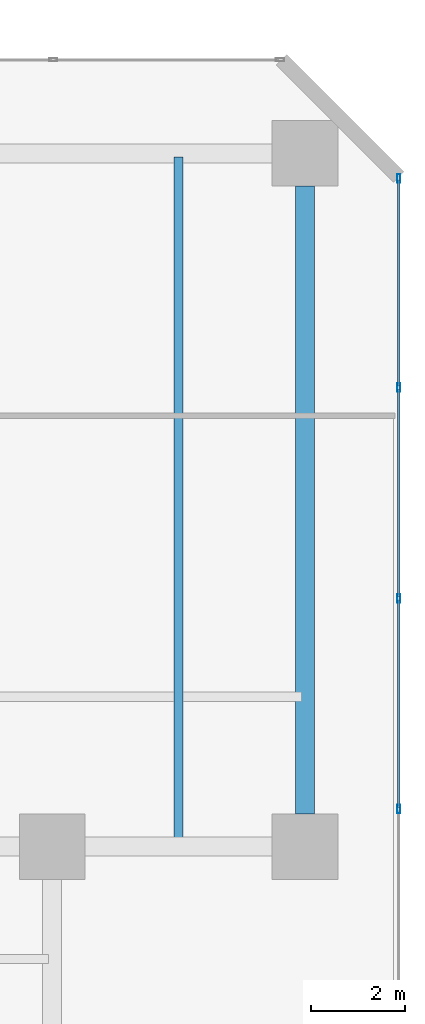
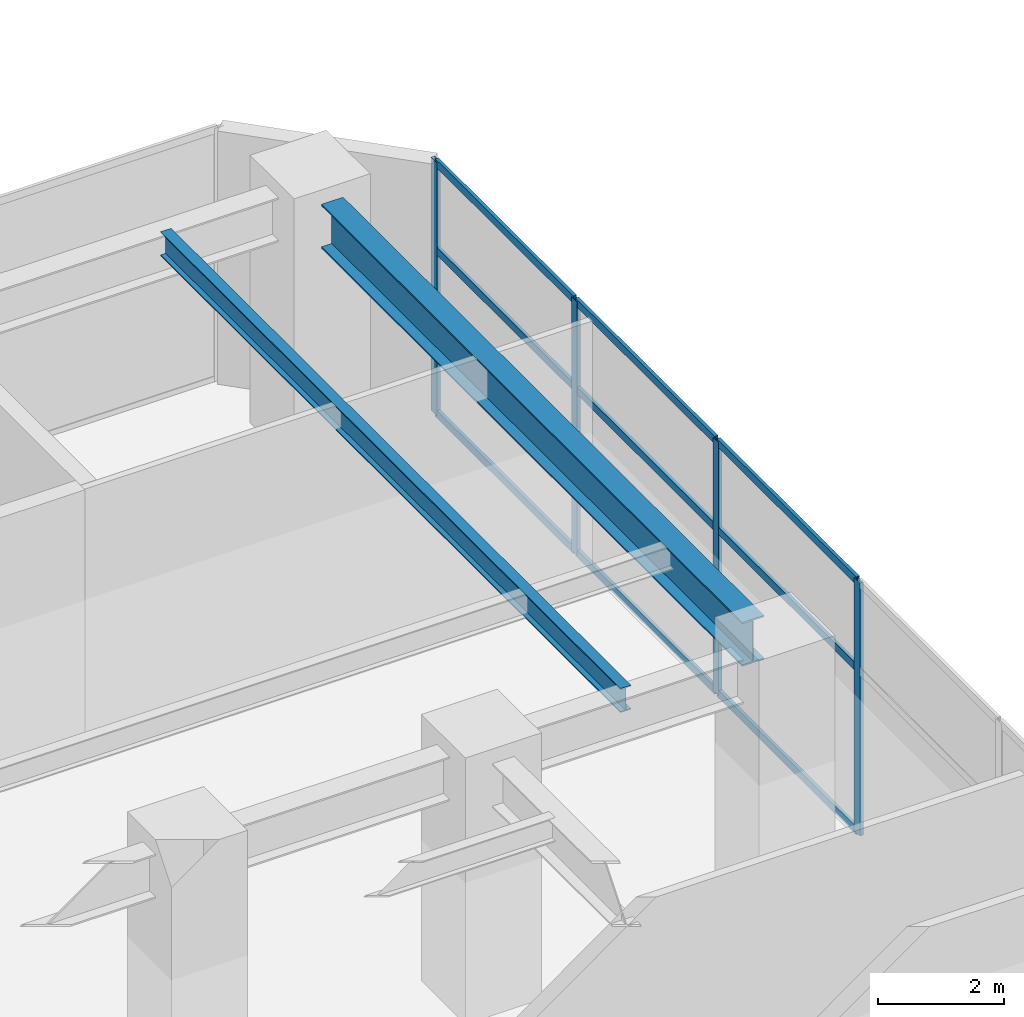
# One storey, part 4 of 22: 13 members, 2 beams, 1 element without a shape of its own.
"""IFC4 building model written with IfcOpenShell, lengths in metres."""

from ifc_helpers import new_model, si_unit, direction, frame, origin, origin_2d, place, context, subcontext, project, spatial, hollow_rectangle, i_section, extrude, material, layer, layer_set, material_profile, profile_set, type_object, element, aggregate, save


model = new_model("IFC4")

# Units and contexts
model_context = context("Model", 3, precision=1e-05, world=origin(), true_north=direction((0.0, 1.0)))
body_context = subcontext(model_context, "Body", "Model", "MODEL_VIEW")
ifc_project = project(units=[si_unit("LENGTHUNIT", "METRE"), si_unit("AREAUNIT", "SQUARE_METRE"), si_unit("VOLUMEUNIT", "CUBIC_METRE"), si_unit("PLANEANGLEUNIT", "RADIAN"), si_unit("MASSUNIT", "GRAM", prefix="KILO")], contexts=[model_context])

# Site, building, storey
site_placement = place(None, origin())
site = spatial("IfcSite", under=ifc_project, at=site_placement, CompositionType="ELEMENT")
building_placement = place(site_placement, origin())
building = spatial("IfcBuilding", under=site, at=building_placement, Name="Mawjaban Terraces University", CompositionType="ELEMENT")
storey_placement = place(building_placement, frame((0.0, 0.0, 5.199951171875)))
storey = spatial("IfcBuildingStorey", under=building, at=storey_placement, Name="L01", CompositionType="ELEMENT", Elevation=5.199951171875)

# Beams
ifc_material_1 = material(Name="Steel ASTM A572 Grade 50", Category="steel")
ifc_material_profile_1 = material_profile(ifc_material_1, i_section(OverallWidth=0.39990234375, OverallDepth=0.85498046875, WebThickness=0.018310546875, FlangeThickness=0.029296875, at=origin_2d()), Name="W840X299")
ifc_profile_set_1 = profile_set([ifc_material_profile_1], Name="Steel ASTM A572 Grade 50")
beam_type_1 = type_object("IfcBeamType", Name="Beam_B_W840X299", PredefinedType="BEAM", material=ifc_profile_set_1)
beam_1_placement = place(storey_placement, frame((74.0, 15.89990234375, 4.491943359375), z_axis=(0.0, 1.0, 0.0), x_axis=(-1.0, 0.0, 0.0)))
element("IfcBeam", 1, at=beam_1_placement, inside=storey, type_object=beam_type_1, Name="L01 Beam BM-L01-NS-22", PredefinedType="BEAM", context=body_context, shape_type="SweptSolid", body=[
    extrude(i_section(OverallWidth=0.39990234375, OverallDepth=0.85498046875, WebThickness=0.018310546875, FlangeThickness=0.029296875, at=origin_2d()), origin(), (0.0, 0.0, 1.0), 13.400146484375),
])
ifc_material_profile_2 = material_profile(ifc_material_1, i_section(OverallWidth=0.194091796875, OverallDepth=0.468994140625, WebThickness=0.011474609375, FlangeThickness=0.0205078125, at=origin_2d()), Name="W460X106")
ifc_profile_set_2 = profile_set([ifc_material_profile_2], Name="Steel ASTM A572 Grade 50")
beam_type_2 = type_object("IfcBeamType", Name="Beam_J_W460X106", PredefinedType="JOIST", material=ifc_profile_set_2)
beam_2_placement = place(storey_placement, frame((71.300048828125, 15.280029296875, 4.68505859375), z_axis=(0.0, 1.0, 0.0), x_axis=(-1.0, 0.0, 0.0)))
element("IfcBeam", 2, at=beam_2_placement, inside=storey, type_object=beam_type_2, Name="L01 Composite Joist JST-L01-NS-34", PredefinedType="JOIST", context=body_context, shape_type="SweptSolid", body=[
    extrude(i_section(OverallWidth=0.194091796875, OverallDepth=0.468994140625, WebThickness=0.011474609375, FlangeThickness=0.0205078125, at=origin_2d()), origin(), (0.0, 0.0, 1.0), 14.639892578125),
])

# Curtain wall, members
ifc_material_2 = material(Name="Anodised aluminium 6063-T6 and solar-control low-E glass", Category="aluminium")
ifc_layer = layer(ifc_material_2, 0.179931640625)
ifc_layer_set = layer_set([ifc_layer], Name="Anodised aluminium 6063-T6 and solar-control low-E glass")
curtain_wall_type = type_object("IfcCurtainWallType", Name="CWSystem_01_PlazaFoyer", PredefinedType="NOTDEFINED", material=ifc_layer_set)
curtain_wall_placement = place(storey_placement, origin())
curtain_wall = element("IfcCurtainWall", 3, at=curtain_wall_placement, inside=storey, type_object=curtain_wall_type, Name="L01 Curtain Wall CW-01 Run 3.1", PredefinedType="NOTDEFINED")
ifc_material_3 = material(Name="Anodised aluminium 6063-T6", Category="aluminium")
ifc_material_profile_3 = material_profile(ifc_material_3, hollow_rectangle(XDim=0.06494140625, YDim=0.179931640625, WallThickness=0.00390625, at=origin_2d()), Name="ALU180X65X4")
ifc_profile_set_3 = profile_set([ifc_material_profile_3], Name="Anodised aluminium 6063-T6")
member_type_1 = type_object("IfcMemberType", Name="Mullion_CW-01", PredefinedType="MULLION", material=ifc_profile_set_3)
member_1_placement = place(storey_placement, frame((76.0, 16.0, 0.0), z_axis=(0.0, 0.0, 1.0), x_axis=(-1.0, 0.0, 0.0)))
member_1 = element("IfcMember", 4, at=member_1_placement, type_object=member_type_1, Name="CW-01 mullion 4", PredefinedType="MULLION", context=body_context, shape_type="SweptSolid", body=[
    extrude(hollow_rectangle(XDim=0.06494140625, YDim=0.179931640625, WallThickness=0.00390625, at=origin_2d()), origin(), (0.0, 0.0, 1.0), 4.920166015625),
])
member_2_placement = place(storey_placement, frame((76.0, 20.5, 0.0), z_axis=(0.0, 0.0, 1.0), x_axis=(-1.0, 0.0, 0.0)))
member_2 = element("IfcMember", 5, at=member_2_placement, type_object=member_type_1, Name="CW-01 mullion 5", PredefinedType="MULLION", context=body_context, shape_type="SweptSolid", body=[
    extrude(hollow_rectangle(XDim=0.06494140625, YDim=0.179931640625, WallThickness=0.00390625, at=origin_2d()), origin(), (0.0, 0.0, 1.0), 4.920166015625),
])
member_3_placement = place(storey_placement, frame((76.0, 25.0, 0.0), z_axis=(0.0, 0.0, 1.0), x_axis=(-1.0, 0.0, 0.0)))
member_3 = element("IfcMember", 6, at=member_3_placement, type_object=member_type_1, Name="CW-01 mullion 6", PredefinedType="MULLION", context=body_context, shape_type="SweptSolid", body=[
    extrude(hollow_rectangle(XDim=0.06494140625, YDim=0.179931640625, WallThickness=0.00390625, at=origin_2d()), origin(), (0.0, 0.0, 1.0), 4.920166015625),
])
member_4_placement = place(storey_placement, frame((76.0, 29.467529296875, 0.0), z_axis=(0.0, 0.0, 1.0), x_axis=(-1.0, 0.0, 0.0)))
member_4 = element("IfcMember", 7, at=member_4_placement, type_object=member_type_1, Name="CW-01 mullion 7", PredefinedType="MULLION", context=body_context, shape_type="SweptSolid", body=[
    extrude(hollow_rectangle(XDim=0.06494140625, YDim=0.179931640625, WallThickness=0.00390625, at=origin_2d()), origin(), (0.0, 0.0, 1.0), 4.920166015625),
])
ifc_material_profile_4 = material_profile(ifc_material_3, hollow_rectangle(XDim=0.06005859375, YDim=0.14990234375, WallThickness=0.00390625, at=origin_2d()), Name="ALU150X60X4")
ifc_profile_set_4 = profile_set([ifc_material_profile_4], Name="Anodised aluminium 6063-T6")
member_type_2 = type_object("IfcMemberType", Name="Transom_CW-01", PredefinedType="NOTDEFINED", material=ifc_profile_set_4)
member_5_placement = place(storey_placement, frame((76.0, 16.032470703125, 0.030029296875), z_axis=(0.0, 1.0, 0.0), x_axis=(-1.0, 0.0, 0.0)))
member_5 = element("IfcMember", 8, at=member_5_placement, type_object=member_type_2, Name="CW-01 transom 4.1", ObjectType="TRANSOM", PredefinedType="USERDEFINED", context=body_context, shape_type="SweptSolid", body=[
    extrude(hollow_rectangle(XDim=0.06005859375, YDim=0.14990234375, WallThickness=0.00390625, at=origin_2d()), origin(), (0.0, 0.0, 1.0), 4.43505859375),
])
member_6_placement = place(storey_placement, frame((76.0, 16.032470703125, 3.197998046875), z_axis=(0.0, 1.0, 0.0), x_axis=(-1.0, 0.0, 0.0)))
member_6 = element("IfcMember", 9, at=member_6_placement, type_object=member_type_2, Name="CW-01 transom 4.2", ObjectType="TRANSOM", PredefinedType="USERDEFINED", context=body_context, shape_type="SweptSolid", body=[
    extrude(hollow_rectangle(XDim=0.06005859375, YDim=0.14990234375, WallThickness=0.00390625, at=origin_2d()), origin(), (0.0, 0.0, 1.0), 4.43505859375),
])
member_7_placement = place(storey_placement, frame((76.0, 16.032470703125, 4.89013671875), z_axis=(0.0, 1.0, 0.0), x_axis=(-1.0, 0.0, 0.0)))
member_7 = element("IfcMember", 10, at=member_7_placement, type_object=member_type_2, Name="CW-01 transom 4.3", ObjectType="TRANSOM", PredefinedType="USERDEFINED", context=body_context, shape_type="SweptSolid", body=[
    extrude(hollow_rectangle(XDim=0.06005859375, YDim=0.14990234375, WallThickness=0.00390625, at=origin_2d()), origin(), (0.0, 0.0, 1.0), 4.43505859375),
])
member_8_placement = place(storey_placement, frame((76.0, 20.532470703125, 0.030029296875), z_axis=(0.0, 1.0, 0.0), x_axis=(-1.0, 0.0, 0.0)))
member_8 = element("IfcMember", 11, at=member_8_placement, type_object=member_type_2, Name="CW-01 transom 5.1", ObjectType="TRANSOM", PredefinedType="USERDEFINED", context=body_context, shape_type="SweptSolid", body=[
    extrude(hollow_rectangle(XDim=0.06005859375, YDim=0.14990234375, WallThickness=0.00390625, at=origin_2d()), origin(), (0.0, 0.0, 1.0), 4.43505859375),
])
member_9_placement = place(storey_placement, frame((76.0, 20.532470703125, 3.197998046875), z_axis=(0.0, 1.0, 0.0), x_axis=(-1.0, 0.0, 0.0)))
member_9 = element("IfcMember", 12, at=member_9_placement, type_object=member_type_2, Name="CW-01 transom 5.2", ObjectType="TRANSOM", PredefinedType="USERDEFINED", context=body_context, shape_type="SweptSolid", body=[
    extrude(hollow_rectangle(XDim=0.06005859375, YDim=0.14990234375, WallThickness=0.00390625, at=origin_2d()), origin(), (0.0, 0.0, 1.0), 4.43505859375),
])
member_10_placement = place(storey_placement, frame((76.0, 20.532470703125, 4.89013671875), z_axis=(0.0, 1.0, 0.0), x_axis=(-1.0, 0.0, 0.0)))
member_10 = element("IfcMember", 13, at=member_10_placement, type_object=member_type_2, Name="CW-01 transom 5.3", ObjectType="TRANSOM", PredefinedType="USERDEFINED", context=body_context, shape_type="SweptSolid", body=[
    extrude(hollow_rectangle(XDim=0.06005859375, YDim=0.14990234375, WallThickness=0.00390625, at=origin_2d()), origin(), (0.0, 0.0, 1.0), 4.43505859375),
])
member_11_placement = place(storey_placement, frame((76.0, 25.032470703125, 0.030029296875), z_axis=(0.0, 1.0, 0.0), x_axis=(-1.0, 0.0, 0.0)))
member_11 = element("IfcMember", 14, at=member_11_placement, type_object=member_type_2, Name="CW-01 transom 6.1", ObjectType="TRANSOM", PredefinedType="USERDEFINED", context=body_context, shape_type="SweptSolid", body=[
    extrude(hollow_rectangle(XDim=0.06005859375, YDim=0.14990234375, WallThickness=0.00390625, at=origin_2d()), origin(), (0.0, 0.0, 1.0), 4.402587890625),
])
member_12_placement = place(storey_placement, frame((76.0, 25.032470703125, 3.197998046875), z_axis=(0.0, 1.0, 0.0), x_axis=(-1.0, 0.0, 0.0)))
member_12 = element("IfcMember", 15, at=member_12_placement, type_object=member_type_2, Name="CW-01 transom 6.2", ObjectType="TRANSOM", PredefinedType="USERDEFINED", context=body_context, shape_type="SweptSolid", body=[
    extrude(hollow_rectangle(XDim=0.06005859375, YDim=0.14990234375, WallThickness=0.00390625, at=origin_2d()), origin(), (0.0, 0.0, 1.0), 4.402587890625),
])
member_13_placement = place(storey_placement, frame((76.0, 25.032470703125, 4.89013671875), z_axis=(0.0, 1.0, 0.0), x_axis=(-1.0, 0.0, 0.0)))
member_13 = element("IfcMember", 16, at=member_13_placement, type_object=member_type_2, Name="CW-01 transom 6.3", ObjectType="TRANSOM", PredefinedType="USERDEFINED", context=body_context, shape_type="SweptSolid", body=[
    extrude(hollow_rectangle(XDim=0.06005859375, YDim=0.14990234375, WallThickness=0.00390625, at=origin_2d()), origin(), (0.0, 0.0, 1.0), 4.402587890625),
])
aggregate(curtain_wall, [member_1, member_2, member_3, member_4, member_5, member_6, member_7, member_8, member_9, member_10, member_11, member_12, member_13])

save(model, "model.ifc")
